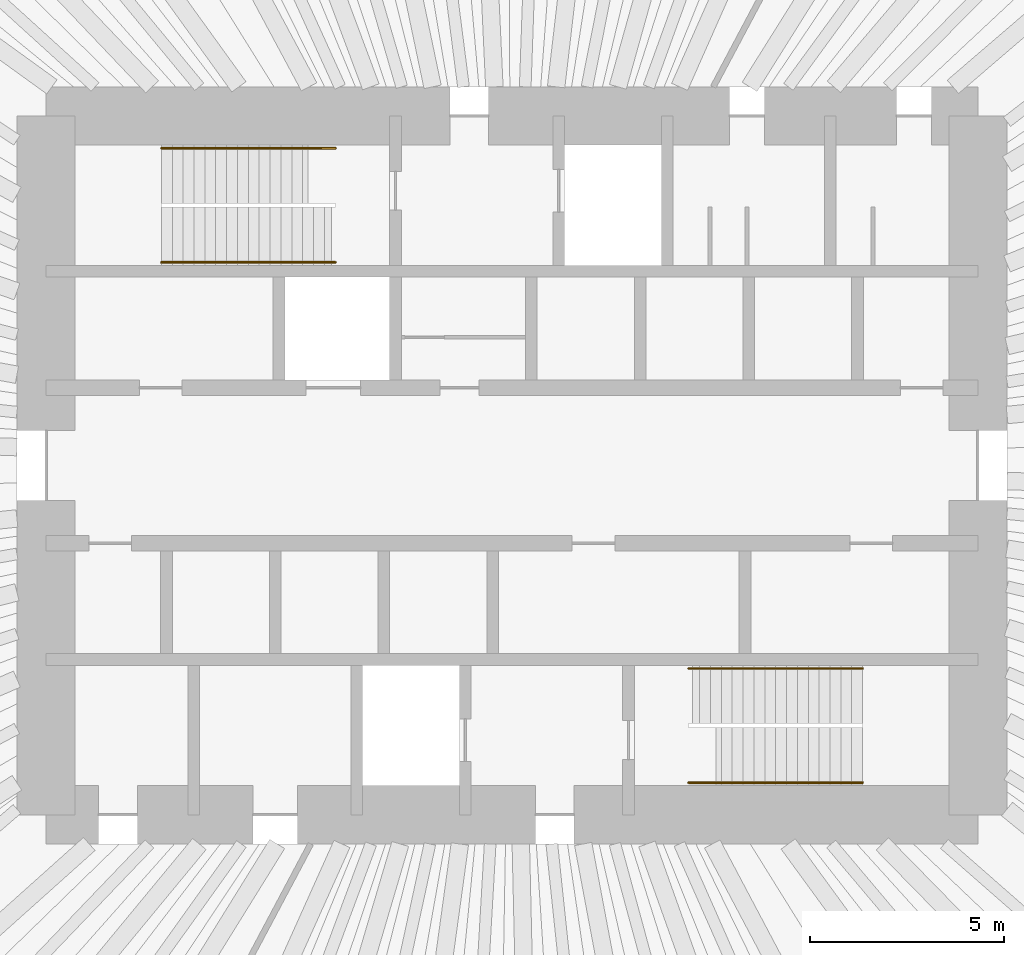
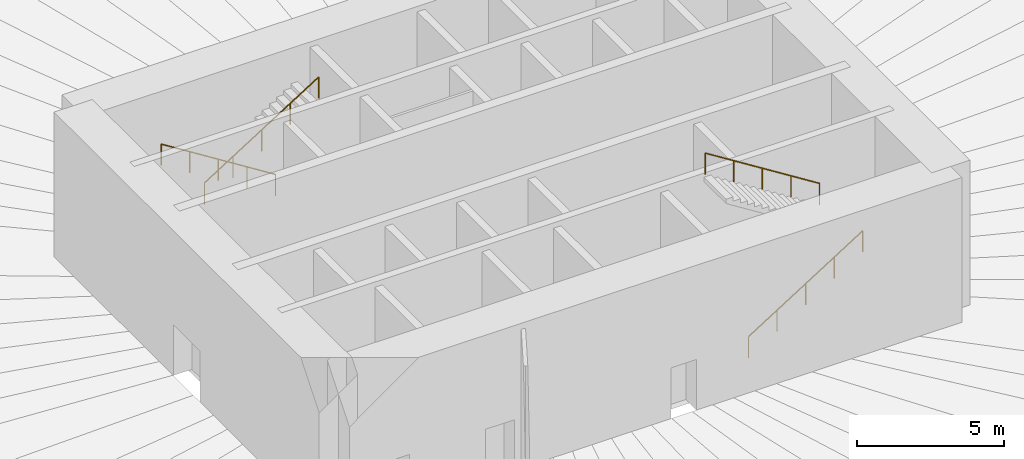
# One storey, part 8 of 8: 4 railings.
"""IFC4 building model written with IfcOpenShell, lengths in metres."""

from ifc_helpers import new_model, si_unit, direction, frame, origin, origin_2d, place, context, subcontext, project, spatial, circle, extrude, material, type_object, element, save


model = new_model("IFC4")

# Units and contexts
model_context = context("Model", 3, precision=1e-05, world=origin(), true_north=direction((0.0, 1.0)))
body_context = subcontext(model_context, "Body", "Model", "MODEL_VIEW")
ifc_project = project(units=[si_unit("LENGTHUNIT", "METRE"), si_unit("AREAUNIT", "SQUARE_METRE"), si_unit("VOLUMEUNIT", "CUBIC_METRE"), si_unit("PLANEANGLEUNIT", "RADIAN"), si_unit("MASSUNIT", "GRAM", prefix="KILO")], contexts=[model_context])

# Site, building, storey
site_placement = place(None, origin())
site = spatial("IfcSite", under=ifc_project, at=site_placement, CompositionType="ELEMENT")
building_placement = place(site_placement, origin())
building = spatial("IfcBuilding", under=site, at=building_placement, Name="Qingtian Harvest Tower", CompositionType="ELEMENT")
storey_placement = place(building_placement, frame((0.0, 0.0, -6.0)))
storey = spatial("IfcBuildingStorey", under=building, at=storey_placement, Name="B1", CompositionType="ELEMENT", Elevation=-6.0)

# Railings
ifc_material = material(Name="Stainless steel handrail", Category="steel")
railing_type = type_object("IfcRailingType", Name="Handrail HR1", PredefinedType="HANDRAIL", material=ifc_material)
railing_1_placement = place(storey_placement, frame((-4.550048828125, 8.169921875, 0.176513671875)))
element("IfcRailing", 1, at=railing_1_placement, inside=storey, type_object=railing_type, Name="Handrail HR1 S1 flight 1", PredefinedType="HANDRAIL", context=body_context, shape_type="SweptSolid", body=[
    extrude(circle(Radius=0.02392578125, at=origin_2d()), frame((0.0, 0.0, 0.8759765625), z_axis=(-0.845997938375, 0.0, 0.533186166611), x_axis=(0.0, -1.0, 0.0)), (0.0, 0.0, 1.0), 5.29541015625),
    extrude(circle(Radius=0.02099609375, at=origin_2d()), origin(), (0.0, 0.0, 1.0), 0.851806640625),
    extrude(circle(Radius=0.02099609375, at=origin_2d()), frame((-1.1201171875, 0.0, 0.705810546875)), (0.0, 0.0, 1.0), 0.851806640625),
    extrude(circle(Radius=0.02099609375, at=origin_2d()), frame((-2.239990234375, 0.0, 1.41162109375)), (0.0, 0.0, 1.0), 0.851806640625),
    extrude(circle(Radius=0.02099609375, at=origin_2d()), frame((-3.35986328125, 0.0, 2.11767578125)), (0.0, 0.0, 1.0), 0.851806640625),
    extrude(circle(Radius=0.02099609375, at=origin_2d()), frame((-4.47998046875, 0.0, 2.823486328125)), (0.0, 0.0, 1.0), 0.851806640625),
])
for number, where, name in (
    (2, (-9.030029296875, 5.22998046875, 3.176513671875), "Handrail HR1 S1 flight 2"),
    (3, (4.550048828125, -8.169921875, 0.176513671875), "Handrail HR1 S2 flight 1"),
):
    element("IfcRailing", number, at=place(storey_placement, frame(where)), inside=storey, type_object=railing_type, Name=name, PredefinedType="HANDRAIL", context=body_context, shape_type="SweptSolid", body=[
        extrude(circle(Radius=0.02392578125, at=origin_2d()), frame((0.0, 0.0, 0.8759765625), z_axis=(0.845997938375, 0.0, 0.533186166611), x_axis=(0.0, 1.0, 0.0)), (0.0, 0.0, 1.0), 5.29541015625),
        extrude(circle(Radius=0.02099609375, at=origin_2d()), origin(), (0.0, 0.0, 1.0), 0.851806640625),
        extrude(circle(Radius=0.02099609375, at=origin_2d()), frame((1.1201171875, 0.0, 0.705810546875)), (0.0, 0.0, 1.0), 0.851806640625),
        extrude(circle(Radius=0.02099609375, at=origin_2d()), frame((2.239990234375, 0.0, 1.41162109375)), (0.0, 0.0, 1.0), 0.851806640625),
        extrude(circle(Radius=0.02099609375, at=origin_2d()), frame((3.35986328125, 0.0, 2.11767578125)), (0.0, 0.0, 1.0), 0.851806640625),
        extrude(circle(Radius=0.02099609375, at=origin_2d()), frame((4.47998046875, 0.0, 2.823486328125)), (0.0, 0.0, 1.0), 0.851806640625),
    ])
railing_2_placement = place(storey_placement, frame((9.030029296875, -5.22998046875, 3.176513671875)))
element("IfcRailing", 4, at=railing_2_placement, inside=storey, type_object=railing_type, Name="Handrail HR1 S2 flight 2", PredefinedType="HANDRAIL", context=body_context, shape_type="SweptSolid", body=[
    extrude(circle(Radius=0.02392578125, at=origin_2d()), frame((0.0, 0.0, 0.8759765625), z_axis=(-0.845997938375, 0.0, 0.533186166611), x_axis=(0.0, -1.0, 0.0)), (0.0, 0.0, 1.0), 5.29541015625),
    extrude(circle(Radius=0.02099609375, at=origin_2d()), origin(), (0.0, 0.0, 1.0), 0.851806640625),
    extrude(circle(Radius=0.02099609375, at=origin_2d()), frame((-1.1201171875, 0.0, 0.705810546875)), (0.0, 0.0, 1.0), 0.851806640625),
    extrude(circle(Radius=0.02099609375, at=origin_2d()), frame((-2.239990234375, 0.0, 1.41162109375)), (0.0, 0.0, 1.0), 0.851806640625),
    extrude(circle(Radius=0.02099609375, at=origin_2d()), frame((-3.35986328125, 0.0, 2.11767578125)), (0.0, 0.0, 1.0), 0.851806640625),
    extrude(circle(Radius=0.02099609375, at=origin_2d()), frame((-4.47998046875, 0.0, 2.823486328125)), (0.0, 0.0, 1.0), 0.851806640625),
])

save(model, "model.ifc")
